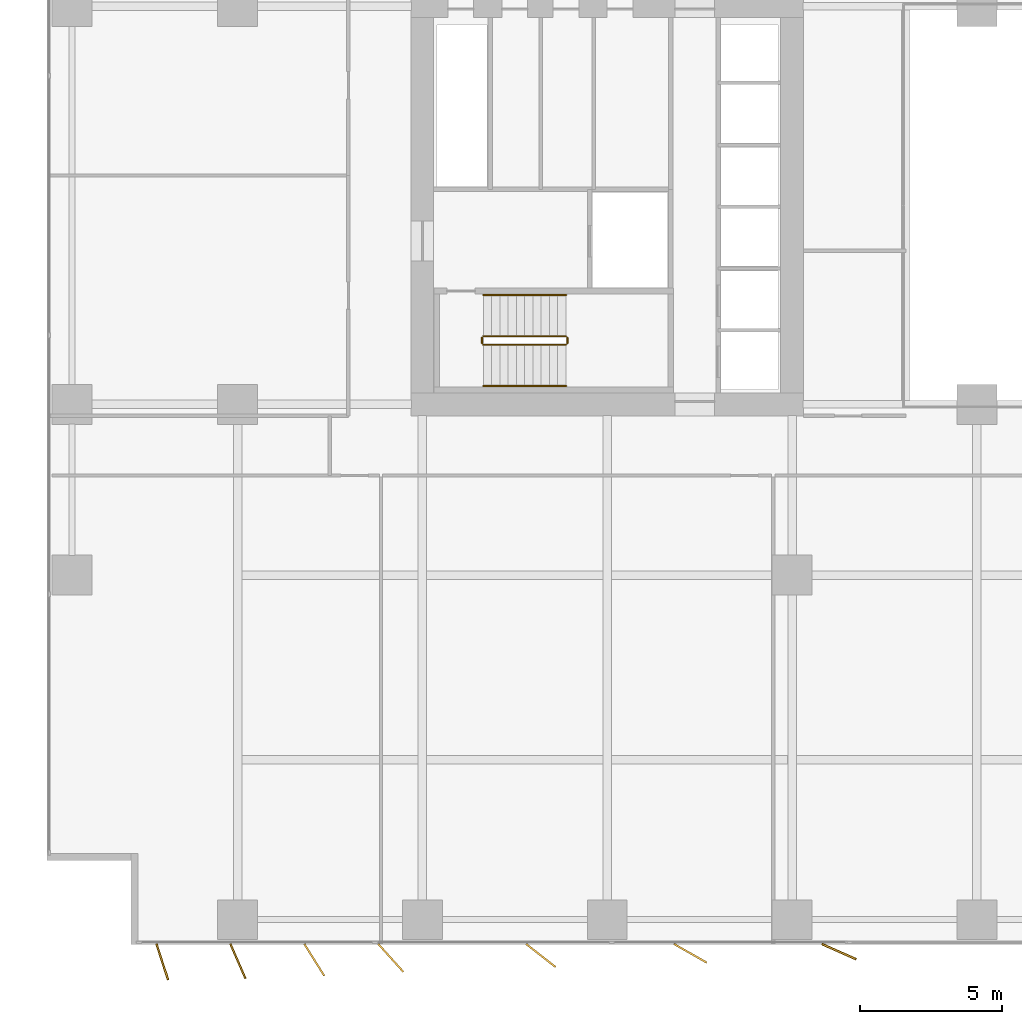
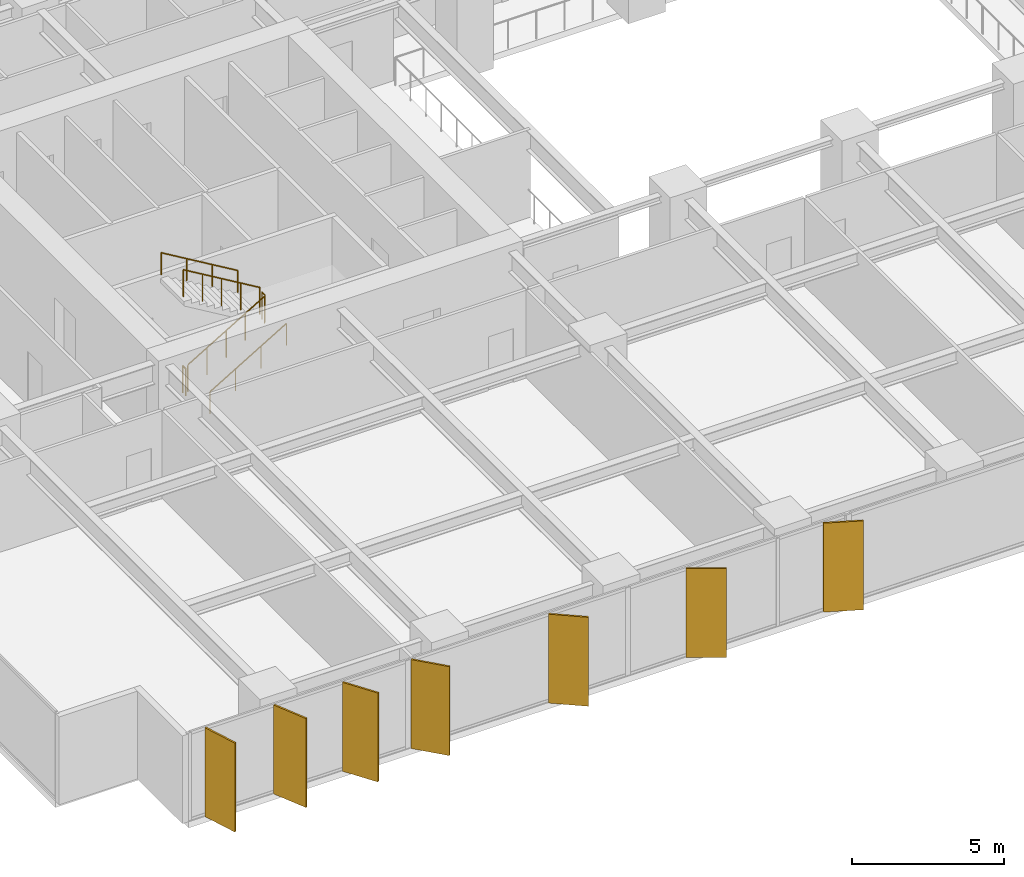
# One storey, part 17 of 20: 7 shading devices, 6 railings.
"""IFC4 building model written with IfcOpenShell, lengths in metres."""

from ifc_helpers import new_model, si_unit, direction, frame, origin, origin_2d, place, context, subcontext, project, spatial, rectangle, circle, extrude, material, layer, layer_set, type_object, element, save


model = new_model("IFC4")

# Units and contexts
model_context = context("Model", 3, precision=1e-05, world=origin(), true_north=direction((0.0, 1.0)))
body_context = subcontext(model_context, "Body", "Model", "MODEL_VIEW")
ifc_project = project(units=[si_unit("LENGTHUNIT", "METRE"), si_unit("AREAUNIT", "SQUARE_METRE"), si_unit("VOLUMEUNIT", "CUBIC_METRE"), si_unit("PLANEANGLEUNIT", "RADIAN"), si_unit("MASSUNIT", "GRAM", prefix="KILO")], contexts=[model_context])

# Site, building, storey
site_placement = place(None, origin())
site = spatial("IfcSite", under=ifc_project, at=site_placement, CompositionType="ELEMENT")
building_placement = place(site_placement, origin())
building = spatial("IfcBuilding", under=site, at=building_placement, Name="Putna Gate Headquarters", CompositionType="ELEMENT")
storey_placement = place(building_placement, frame((0.0, 0.0, 77.199951171875)))
storey = spatial("IfcBuildingStorey", under=building, at=storey_placement, Name="L18", CompositionType="ELEMENT", Elevation=77.199951171875)

# Railings
ifc_material_1 = material(Name="Powder-coated steel stair guardrail", Category="steel")
railing_type_1 = type_object("IfcRailingType", Name="RAIL-STAIR-GUARD-1100", PredefinedType="GUARDRAIL", material=ifc_material_1)
railing_1_placement = place(storey_placement, frame((15.14990234375, 21.10009765625, 0.1728515625)))
element("IfcRailing", 1, at=railing_1_placement, inside=storey, type_object=railing_type_1, Name="L18 ST1 stair guard 1", PredefinedType="GUARDRAIL", context=body_context, shape_type="SweptSolid", body=[
    extrude(circle(Radius=0.02392578125, at=origin_2d()), frame((0.0, 0.0, 1.076171875), z_axis=(0.859160404282, 0.0, 0.51170636083), x_axis=(0.0, 1.0, 0.0)), (0.0, 0.0, 1.0), 3.37548828125),
    extrude(circle(Radius=0.02099609375, at=origin_2d()), origin(), (0.0, 0.0, 1.0), 1.052001953125),
    extrude(circle(Radius=0.02099609375, at=origin_2d()), frame((0.72509765625, 0.0, 0.431884765625)), (0.0, 0.0, 1.0), 1.052001953125),
    extrude(circle(Radius=0.02099609375, at=origin_2d()), frame((1.4501953125, 0.0, 0.86376953125)), (0.0, 0.0, 1.0), 1.052001953125),
    extrude(circle(Radius=0.02099609375, at=origin_2d()), frame((2.175048828125, 0.0, 1.29541015625)), (0.0, 0.0, 1.0), 1.052001953125),
    extrude(circle(Radius=0.02099609375, at=origin_2d()), frame((2.900146484375, 0.0, 1.727294921875)), (0.0, 0.0, 1.0), 1.052001953125),
])
railing_2_placement = place(storey_placement, frame((18.10009765625, 21.14990234375, 1.900146484375)))
element("IfcRailing", 2, at=railing_2_placement, inside=storey, type_object=railing_type_1, Name="L18 ST1 stair guard 2", PredefinedType="GUARDRAIL", context=body_context, shape_type="SweptSolid", body=[
    extrude(circle(Radius=0.02392578125, at=origin_2d()), frame((0.0, 0.0, 1.076171875), z_axis=(0.0, 1.0, 0.0), x_axis=(-1.0, 0.0, 0.0)), (0.0, 0.0, 1.0), 0.2001953125),
    extrude(circle(Radius=0.02099609375, at=origin_2d()), origin(), (0.0, 0.0, 1.0), 1.052001953125),
    extrude(circle(Radius=0.02099609375, at=origin_2d()), frame((0.0, 0.2001953125, 0.0)), (0.0, 0.0, 1.0), 1.052001953125),
])
railing_3_placement = place(storey_placement, frame((18.050048828125, 21.39990234375, 2.07275390625)))
element("IfcRailing", 3, at=railing_3_placement, inside=storey, type_object=railing_type_1, Name="L18 ST1 stair guard 3", PredefinedType="GUARDRAIL", context=body_context, shape_type="SweptSolid", body=[
    extrude(circle(Radius=0.02392578125, at=origin_2d()), frame((0.0, 0.0, 1.076171875), z_axis=(-0.859160404282, 0.0, 0.51170636083), x_axis=(0.0, -1.0, 0.0)), (0.0, 0.0, 1.0), 3.37548828125),
    extrude(circle(Radius=0.02099609375, at=origin_2d()), origin(), (0.0, 0.0, 1.0), 1.052001953125),
    extrude(circle(Radius=0.02099609375, at=origin_2d()), frame((-0.72509765625, 0.0, 0.431884765625)), (0.0, 0.0, 1.0), 1.052001953125),
    extrude(circle(Radius=0.02099609375, at=origin_2d()), frame((-1.4501953125, 0.0, 0.86376953125)), (0.0, 0.0, 1.0), 1.052001953125),
    extrude(circle(Radius=0.02099609375, at=origin_2d()), frame((-2.175048828125, 0.0, 1.29541015625)), (0.0, 0.0, 1.0), 1.052001953125),
    extrude(circle(Radius=0.02099609375, at=origin_2d()), frame((-2.900146484375, 0.0, 1.727294921875)), (0.0, 0.0, 1.0), 1.052001953125),
])
railing_4_placement = place(storey_placement, frame((15.10009765625, 21.14990234375, 0.0)))
element("IfcRailing", 4, at=railing_4_placement, inside=storey, type_object=railing_type_1, Name="L18 ST1 stair guard 4", PredefinedType="GUARDRAIL", context=body_context, shape_type="SweptSolid", body=[
    extrude(circle(Radius=0.02392578125, at=origin_2d()), frame((0.0, 0.0, 1.076171875), z_axis=(0.0, 1.0, 0.0), x_axis=(-1.0, 0.0, 0.0)), (0.0, 0.0, 1.0), 0.2001953125),
    extrude(circle(Radius=0.02099609375, at=origin_2d()), origin(), (0.0, 0.0, 1.0), 1.052001953125),
    extrude(circle(Radius=0.02099609375, at=origin_2d()), frame((0.0, 0.2001953125, 0.0)), (0.0, 0.0, 1.0), 1.052001953125),
])
ifc_material_2 = material(Name="Brushed stainless steel handrail", Category="steel")
railing_type_2 = type_object("IfcRailingType", Name="RAIL-STAIR-HAND-900", PredefinedType="HANDRAIL", material=ifc_material_2)
railing_5_placement = place(storey_placement, frame((15.14990234375, 19.64990234375, 0.1728515625)))
element("IfcRailing", 5, at=railing_5_placement, inside=storey, type_object=railing_type_2, Name="L18 ST1 stair handrail 1", PredefinedType="HANDRAIL", context=body_context, shape_type="SweptSolid", body=[
    extrude(circle(Radius=0.02392578125, at=origin_2d()), frame((0.0, 0.0, 0.8759765625), z_axis=(0.859160404282, 0.0, 0.51170636083), x_axis=(0.0, 1.0, 0.0)), (0.0, 0.0, 1.0), 3.37548828125),
    extrude(circle(Radius=0.02099609375, at=origin_2d()), origin(), (0.0, 0.0, 1.0), 0.851806640625),
    extrude(circle(Radius=0.02099609375, at=origin_2d()), frame((0.966796875, 0.0, 0.57568359375)), (0.0, 0.0, 1.0), 0.851806640625),
    extrude(circle(Radius=0.02099609375, at=origin_2d()), frame((1.933349609375, 0.0, 1.151611328125)), (0.0, 0.0, 1.0), 0.851806640625),
    extrude(circle(Radius=0.02099609375, at=origin_2d()), frame((2.900146484375, 0.0, 1.727294921875)), (0.0, 0.0, 1.0), 0.851806640625),
])
railing_6_placement = place(storey_placement, frame((18.050048828125, 22.85009765625, 2.07275390625)))
element("IfcRailing", 6, at=railing_6_placement, inside=storey, type_object=railing_type_2, Name="L18 ST1 stair handrail 2", PredefinedType="HANDRAIL", context=body_context, shape_type="SweptSolid", body=[
    extrude(circle(Radius=0.02392578125, at=origin_2d()), frame((0.0, 0.0, 0.8759765625), z_axis=(-0.859160404282, 0.0, 0.51170636083), x_axis=(0.0, -1.0, 0.0)), (0.0, 0.0, 1.0), 3.37548828125),
    extrude(circle(Radius=0.02099609375, at=origin_2d()), origin(), (0.0, 0.0, 1.0), 0.851806640625),
    extrude(circle(Radius=0.02099609375, at=origin_2d()), frame((-0.966796875, 0.0, 0.57568359375)), (0.0, 0.0, 1.0), 0.851806640625),
    extrude(circle(Radius=0.02099609375, at=origin_2d()), frame((-1.933349609375, 0.0, 1.151611328125)), (0.0, 0.0, 1.0), 0.851806640625),
    extrude(circle(Radius=0.02099609375, at=origin_2d()), frame((-2.900146484375, 0.0, 1.727294921875)), (0.0, 0.0, 1.0), 0.851806640625),
])

# Shading devices
ifc_material_3 = material(Name="Anodised architectural bronze aluminium fin", Category="aluminium")
ifc_layer = layer(ifc_material_3, 0.06494140625)
ifc_layer_set = layer_set([ifc_layer], Name="Anodised architectural bronze aluminium fin")
shading_device_type = type_object("IfcShadingDeviceType", Name="SHADE-BRONZE-FIN-1320", PredefinedType="USERDEFINED", material=ifc_layer_set)
for number, where, z_axis, x_axis, name in (
    (7, (3.853759765625, -0.602783203125, -0.02001953125), (0.0, 0.0, 1.0), (0.308684994204, -0.951164325631, 0.0), "L18 Bronze Vertical Shading Fin S1"),
    (8, (6.514404296875, -0.57958984375, -0.02001953125), (0.0, 0.0, 1.0), (0.400668879095, -0.916222925562, 0.0), "L18 Bronze Vertical Shading Fin S2"),
    (9, (9.2001953125, -0.534423828125, -0.02001953125), (0.0, 0.0, 1.0), (0.530659123936, -0.847585331506, 0.0), "L18 Bronze Vertical Shading Fin S3"),
    (10, (11.8916015625, -0.465576171875, -0.02001953125), (0.0, 0.0, 1.0), (0.669130606359, -0.743144825477, 0.0), "L18 Bronze Vertical Shading Fin S4"),
    (11, (17.169677734375, -0.3818359375, -0.02001953125), (0.0, 0.0, 1.0), (0.787473187632, -0.616348909921, 0.0), "L18 Bronze Vertical Shading Fin S5"),
    (12, (22.423828125, -0.30126953125, -0.02001953125), (0.0, 0.0, 1.0), (0.869322458298, -0.494245347472, 0.0), "L18 Bronze Vertical Shading Fin S6"),
    (13, (27.653076171875, -0.2431640625, -0.02001953125), (0.0, 0.0, 1.0), (0.913687379856, -0.40641773078, 0.0), "L18 Bronze Vertical Shading Fin S7"),
):
    element("IfcShadingDevice", number, at=place(storey_placement, frame(where, z_axis=z_axis, x_axis=x_axis)), inside=storey, type_object=shading_device_type, Name=name, ObjectType="FIN", PredefinedType="USERDEFINED", context=body_context, shape_type="SweptSolid", body=[
        extrude(rectangle(XDim=1.320068359375, YDim=0.06494140625, at=origin_2d()), origin(), (0.0, 0.0, 1.0), 3.56005859375),
    ])

save(model, "model.ifc")
